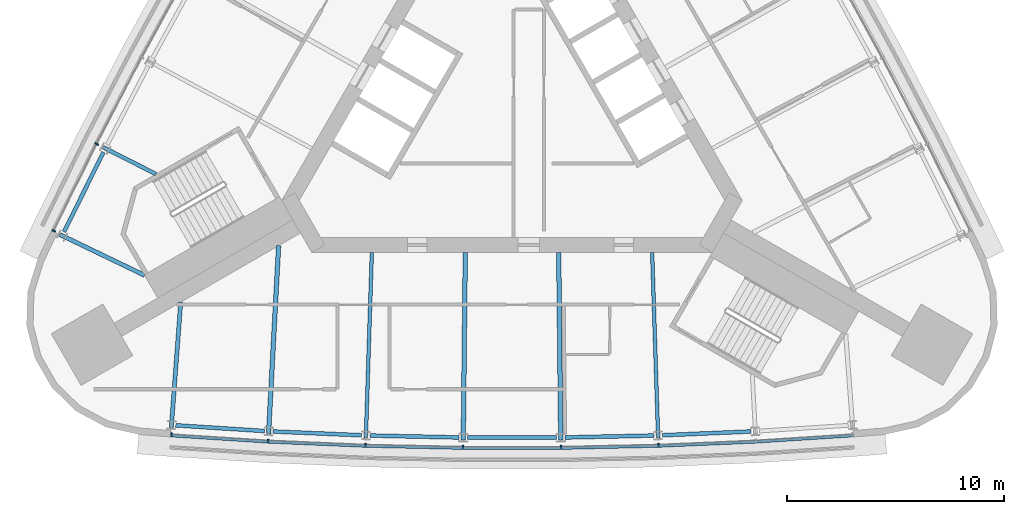
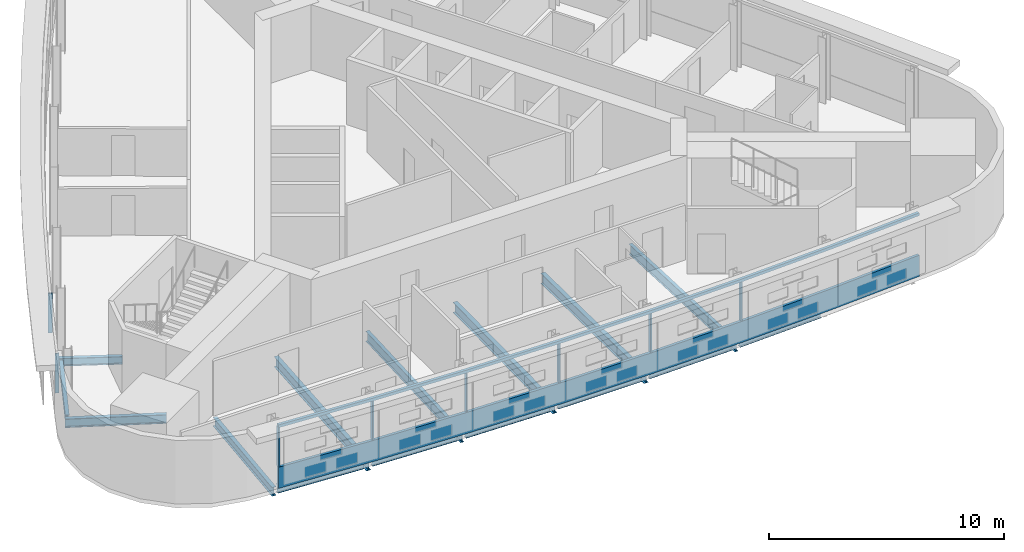
# One storey, part 2 of 12: 15 beams, 10 members, 2 elements without a shape of their own.
"""IFC4 building model written with IfcOpenShell, lengths in metres."""

from ifc_helpers import new_model, si_unit, direction, frame, origin, origin_2d, place, context, subcontext, project, spatial, polyline, rectangle, i_section, outline, extrude, material, material_profile, profile_set, type_object, element, aggregate, save


model = new_model("IFC4")

# Units and contexts
model_context = context("Model", 3, precision=1e-05, world=origin(), true_north=direction((0.0, 1.0)))
body_context = subcontext(model_context, "Body", "Model", "MODEL_VIEW")
ifc_project = project(units=[si_unit("LENGTHUNIT", "METRE"), si_unit("AREAUNIT", "SQUARE_METRE"), si_unit("VOLUMEUNIT", "CUBIC_METRE"), si_unit("PLANEANGLEUNIT", "RADIAN"), si_unit("MASSUNIT", "GRAM", prefix="KILO")], contexts=[model_context])

# Site, building, storey
site_placement = place(None, origin())
site = spatial("IfcSite", under=ifc_project, at=site_placement, CompositionType="ELEMENT")
building_placement = place(site_placement, origin())
building = spatial("IfcBuilding", under=site, at=building_placement, Name="Noor Cloister Tower", CompositionType="ELEMENT")
storey_placement = place(building_placement, frame((0.0, 0.0, 188.699951171875)))
storey = spatial("IfcBuildingStorey", under=building, at=storey_placement, Name="L48", CompositionType="ELEMENT", Elevation=188.699951171875)

# Curtain wall, member
ifc_material_1 = material(Name="Aluminium 6063-T6 anodised", Category="aluminium")
curtain_wall_type = type_object("IfcCurtainWallType", Name="Ribbon curtain wall, upper tower CW5", PredefinedType="NOTDEFINED", material=ifc_material_1)
curtain_wall_1_placement = place(storey_placement, origin())
curtain_wall_1 = element("IfcCurtainWall", 1, at=curtain_wall_1_placement, inside=storey, type_object=curtain_wall_type, Name="CW5 L48 S run 2", PredefinedType="NOTDEFINED")
ifc_material_2 = material(Name="Aluminium 6063-T6 anodised", Category="aluminium")
member_type_1 = type_object("IfcMemberType", Name="Head transom CW5 150", PredefinedType="USERDEFINED", material=ifc_material_2)
member_1_placement = place(storey_placement, frame((0.0, 0.0, 3.150146484375)))
member_1 = element("IfcMember", 2, at=member_1_placement, type_object=member_type_1, Name="CW5 head transom", ObjectType="TRANSOM", PredefinedType="USERDEFINED", context=body_context, shape_type="SweptSolid", body=[
    extrude(outline(polyline([(-15.7353515625, -15.428955078125), (-11.24462890625, -15.7177734375), (-6.748779296875, -15.910400390625), (-2.25, -16.0068359375), (2.25, -16.0068359375), (6.748779296875, -15.910400390625), (11.24462890625, -15.7177734375), (15.7353515625, -15.428955078125), (15.726318359375, -15.289306640625), (11.237060546875, -15.578125), (6.744384765625, -15.7705078125), (2.24853515625, -15.86669921875), (-2.24853515625, -15.86669921875), (-6.744384765625, -15.7705078125), (-11.237060546875, -15.578125), (-15.726318359375, -15.289306640625), (-15.7353515625, -15.428955078125)])), origin(), (0.0, 0.0, 1.0), 0.14990234375),
])

# Curtain wall, members
curtain_wall_2_placement = place(storey_placement, origin())
curtain_wall_2 = element("IfcCurtainWall", 3, at=curtain_wall_2_placement, inside=storey, type_object=curtain_wall_type, Name="CW5 L48 NW run 1", PredefinedType="NOTDEFINED")
ifc_material_3 = material(Name="Aluminium 6063-T6 anodised", Category="aluminium")
ifc_material_profile_1 = material_profile(ifc_material_3, rectangle(XDim=0.179931640625, YDim=0.070068359375, at=origin_2d()), Name="180 x 70 mullion")
ifc_profile_set_1 = profile_set([ifc_material_profile_1], Name="Aluminium 6063-T6 anodised")
member_type_2 = type_object("IfcMemberType", Name="Mullion CW5 70 x 180", PredefinedType="MULLION", material=ifc_profile_set_1)
member_2_placement = place(storey_placement, frame((-19.145263671875, -1.924560546875, 1.10009765625), z_axis=(0.0, 0.0, 1.0), x_axis=(0.891532671341, -0.452956395178, 0.0)))
member_2 = element("IfcMember", 4, at=member_2_placement, type_object=member_type_2, Name="CW5 mullion 7", PredefinedType="MULLION", context=body_context, shape_type="SweptSolid", body=[
    extrude(rectangle(XDim=0.179931640625, YDim=0.070068359375, at=origin_2d()), origin(), (0.0, 0.0, 1.0), 2.050048828125),
])
member_3_placement = place(storey_placement, frame((-21.12451171875, -5.925537109375, 1.10009765625), z_axis=(0.0, 0.0, 1.0), x_axis=(0.896329965837, -0.443387632149, 0.0)))
member_3 = element("IfcMember", 5, at=member_3_placement, type_object=member_type_2, Name="CW5 mullion 8", PredefinedType="MULLION", context=body_context, shape_type="SweptSolid", body=[
    extrude(rectangle(XDim=0.179931640625, YDim=0.070068359375, at=origin_2d()), origin(), (0.0, 0.0, 1.0), 2.050048828125),
])
aggregate(curtain_wall_2, [member_2, member_3])

# Member
member_4_placement = place(storey_placement, frame((-15.69384765625, -15.33154296875, 1.10009765625), z_axis=(0.0, 0.0, 1.0), x_axis=(0.064180029753, 0.997938336663, 0.0)))
member_4 = element("IfcMember", 6, at=member_4_placement, type_object=member_type_2, Name="CW5 mullion 1", PredefinedType="MULLION", context=body_context, shape_type="SweptSolid", body=[
    extrude(rectangle(XDim=0.179931640625, YDim=0.070068359375, at=origin_2d()), origin(), (0.0, 0.0, 1.0), 2.050048828125),
])

member_5_placement = place(storey_placement, frame((-11.2392578125, -15.617919921875, 1.10009765625), z_axis=(0.0, 0.0, 1.0), x_axis=(0.05349459064, 0.998568139274, 0.0)))
member_5 = element("IfcMember", 7, at=member_5_placement, type_object=member_type_2, Name="CW5 mullion 2", PredefinedType="MULLION", context=body_context, shape_type="SweptSolid", body=[
    extrude(rectangle(XDim=0.179931640625, YDim=0.070068359375, at=origin_2d()), origin(), (0.0, 0.0, 1.0), 2.050048828125),
])

member_6_placement = place(storey_placement, frame((-6.74560546875, -15.810546875, 1.10009765625), z_axis=(0.0, 0.0, 1.0), x_axis=(0.032106567377, 0.99948445127, 0.0)))
member_6 = element("IfcMember", 8, at=member_6_placement, type_object=member_type_2, Name="CW5 mullion 3", PredefinedType="MULLION", context=body_context, shape_type="SweptSolid", body=[
    extrude(rectangle(XDim=0.179931640625, YDim=0.070068359375, at=origin_2d()), origin(), (0.0, 0.0, 1.0), 2.050048828125),
])

member_7_placement = place(storey_placement, frame((-2.248779296875, -15.90673828125, 1.10009765625), z_axis=(0.0, 0.0, 1.0), x_axis=(0.010703830086, 0.99994271237, 0.0)))
member_7 = element("IfcMember", 9, at=member_7_placement, type_object=member_type_2, Name="CW5 mullion 4", PredefinedType="MULLION", context=body_context, shape_type="SweptSolid", body=[
    extrude(rectangle(XDim=0.179931640625, YDim=0.070068359375, at=origin_2d()), origin(), (0.0, 0.0, 1.0), 2.050048828125),
])

member_8_placement = place(storey_placement, frame((2.248779296875, -15.90673828125, 1.10009765625), z_axis=(0.0, 0.0, 1.0), x_axis=(-0.010703830086, 0.99994271237, 0.0)))
member_8 = element("IfcMember", 10, at=member_8_placement, type_object=member_type_2, Name="CW5 mullion 5", PredefinedType="MULLION", context=body_context, shape_type="SweptSolid", body=[
    extrude(rectangle(XDim=0.179931640625, YDim=0.070068359375, at=origin_2d()), origin(), (0.0, 0.0, 1.0), 2.050048828125),
])

member_9_placement = place(storey_placement, frame((6.74560546875, -15.810546875, 1.10009765625), z_axis=(0.0, 0.0, 1.0), x_axis=(-0.032106567377, 0.99948445127, 0.0)))
member_9 = element("IfcMember", 11, at=member_9_placement, type_object=member_type_2, Name="CW5 mullion 6", PredefinedType="MULLION", context=body_context, shape_type="SweptSolid", body=[
    extrude(rectangle(XDim=0.179931640625, YDim=0.070068359375, at=origin_2d()), origin(), (0.0, 0.0, 1.0), 2.050048828125),
])

# Beams
ifc_material_4 = material(Name="Steel ASTM A992 Gr 50", Category="steel")
ifc_material_profile_2 = material_profile(ifc_material_4, i_section(OverallWidth=0.177978515625, OverallDepth=0.406005859375, WebThickness=0.0078125, FlangeThickness=0.0126953125, FilletRadius=0.01025390625, at=origin_2d()), Name="W410x60")
ifc_profile_set_2 = profile_set([ifc_material_profile_2], Name="Steel ASTM A992 Gr 50")
beam_type_1 = type_object("IfcBeamType", Name="Radial beam W410x60", PredefinedType="BEAM", material=ifc_profile_set_2)
beam_1_placement = place(storey_placement, frame((-18.843994140625, -2.07763671875, -0.40283203125), z_axis=(0.891546185456, -0.452929795, 0.0), x_axis=(0.452929795, 0.891546185456, 0.0)))
element("IfcBeam", 12, at=beam_1_placement, inside=storey, type_object=beam_type_1, Name="Radial beam NW 07 L48", PredefinedType="BEAM", context=body_context, shape_type="SweptSolid", body=[
    extrude(i_section(OverallWidth=0.177978515625, OverallDepth=0.406005859375, WebThickness=0.0078125, FlangeThickness=0.0126953125, FilletRadius=0.01025390625, at=origin_2d()), origin(), (0.0, 0.0, 1.0), 2.72900390625),
])
ifc_material_5 = material(Name="Steel ASTM A992 Gr 50", Category="steel")
ifc_material_profile_3 = material_profile(ifc_material_5, i_section(OverallWidth=0.19091796875, OverallDepth=0.45703125, WebThickness=0.009033203125, FlangeThickness=0.014404296875, FilletRadius=0.01025390625, at=origin_2d()), Name="W460x74")
ifc_profile_set_3 = profile_set([ifc_material_profile_3], Name="Steel ASTM A992 Gr 50")
beam_type_2 = type_object("IfcBeamType", Name="Radial beam W460x74", PredefinedType="BEAM", material=ifc_profile_set_3)
beam_2_placement = place(storey_placement, frame((-20.8349609375, -6.1025390625, -0.428466796875), z_axis=(0.901017184734, -0.43378339389, 0.0), x_axis=(0.43378339389, 0.901017184734, 0.0)))
element("IfcBeam", 13, at=beam_2_placement, inside=storey, type_object=beam_type_2, Name="Radial beam NW 08 L48", PredefinedType="BEAM", context=body_context, shape_type="SweptSolid", body=[
    extrude(i_section(OverallWidth=0.19091796875, OverallDepth=0.45703125, WebThickness=0.009033203125, FlangeThickness=0.014404296875, FilletRadius=0.01025390625, at=origin_2d()), origin(), (0.0, 0.0, 1.0), 4.328125),
])
beam_3_placement = place(storey_placement, frame((-15.702392578125, -14.9921875, -0.428466796875), z_axis=(0.074861245098, 0.997193960061, 0.0), x_axis=(-0.997193960061, 0.074861245098, 0.0)))
element("IfcBeam", 14, at=beam_3_placement, inside=storey, type_object=beam_type_2, Name="Radial beam S 01 L48", PredefinedType="BEAM", context=body_context, shape_type="SweptSolid", body=[
    extrude(i_section(OverallWidth=0.19091796875, OverallDepth=0.45703125, WebThickness=0.009033203125, FlangeThickness=0.014404296875, FilletRadius=0.01025390625, at=origin_2d()), origin(), (0.0, 0.0, 1.0), 5.788818359375),
])
ifc_material_6 = material(Name="Steel ASTM A992 Gr 50", Category="steel")
ifc_material_profile_4 = material_profile(ifc_material_6, i_section(OverallWidth=0.166015625, OverallDepth=0.528076171875, WebThickness=0.009765625, FlangeThickness=0.013671875, FilletRadius=0.0126953125, at=origin_2d()), Name="W530x74")
ifc_profile_set_4 = profile_set([ifc_material_profile_4], Name="Steel ASTM A992 Gr 50")
beam_type_3 = type_object("IfcBeamType", Name="Radial beam W530x74", PredefinedType="BEAM", material=ifc_profile_set_4)
for number, where, z_axis, x_axis, name in (
    (15, (-6.73486328125, -15.47265625, -0.4638671875), (0.032128099585, 0.999483759356, 0.0), (-0.999483759356, 0.032128099585, 0.0), "Radial beam S 03 L48"),
    (16, (6.73486328125, -15.47265625, -0.4638671875), (-0.032128099585, 0.999483759356, 0.0), (-0.999483759356, -0.032128099585, 0.0), "Radial beam S 06 L48"),
):
    element("IfcBeam", number, at=place(storey_placement, frame(where, z_axis=z_axis, x_axis=x_axis)), inside=storey, type_object=beam_type_3, Name=name, PredefinedType="BEAM", context=body_context, shape_type="SweptSolid", body=[
        extrude(i_section(OverallWidth=0.166015625, OverallDepth=0.528076171875, WebThickness=0.009765625, FlangeThickness=0.013671875, FilletRadius=0.0126953125, at=origin_2d()), origin(), (0.0, 0.0, 1.0), 8.548828125),
    ])
ifc_material_7 = material(Name="Steel ASTM A992 Gr 50", Category="steel")
ifc_material_profile_5 = material_profile(ifc_material_7, i_section(OverallWidth=0.208984375, OverallDepth=0.532958984375, WebThickness=0.01025390625, FlangeThickness=0.015625, FilletRadius=0.0126953125, at=origin_2d()), Name="W530x92")
ifc_profile_set_5 = profile_set([ifc_material_profile_5], Name="Steel ASTM A992 Gr 50")
beam_type_4 = type_object("IfcBeamType", Name="Radial beam W530x92", PredefinedType="BEAM", material=ifc_profile_set_5)
beam_4_placement = place(storey_placement, frame((-11.22119140625, -15.280517578125, -0.466552734375), z_axis=(0.053480194356, 0.998568910397, 0.0), x_axis=(-0.998568910397, 0.053480194356, 0.0)))
element("IfcBeam", 17, at=beam_4_placement, inside=storey, type_object=beam_type_4, Name="Radial beam S 02 L48", PredefinedType="BEAM", context=body_context, shape_type="SweptSolid", body=[
    extrude(i_section(OverallWidth=0.208984375, OverallDepth=0.532958984375, WebThickness=0.01025390625, FlangeThickness=0.015625, FilletRadius=0.0126953125, at=origin_2d()), origin(), (0.0, 0.0, 1.0), 8.67822265625),
])
for number, where, z_axis, x_axis, name in (
    (18, (-2.245361328125, -15.56884765625, -0.466552734375), (0.010708020767, 0.999942667502, 0.0), (-0.999942667502, 0.010708020767, 0.0), "Radial beam S 04 L48"),
    (19, (2.245361328125, -15.56884765625, -0.466552734375), (-0.010708020767, 0.999942667502, 0.0), (-0.999942667502, -0.010708020767, 0.0), "Radial beam S 05 L48"),
):
    element("IfcBeam", number, at=place(storey_placement, frame(where, z_axis=z_axis, x_axis=x_axis)), inside=storey, type_object=beam_type_4, Name=name, PredefinedType="BEAM", context=body_context, shape_type="SweptSolid", body=[
        extrude(i_section(OverallWidth=0.208984375, OverallDepth=0.532958984375, WebThickness=0.01025390625, FlangeThickness=0.015625, FilletRadius=0.0126953125, at=origin_2d()), origin(), (0.0, 0.0, 1.0), 8.64111328125),
    ])

# Member
ifc_material_8 = material(Name="Aluminium 6063-T6 anodised", Category="aluminium")
member_type_3 = type_object("IfcMemberType", Name="Sill transom CW5 1100", PredefinedType="USERDEFINED", material=ifc_material_8)
member_10_placement = place(storey_placement, origin())
member_10 = element("IfcMember", 20, at=member_10_placement, type_object=member_type_3, Name="CW5 sill transom", ObjectType="TRANSOM", PredefinedType="USERDEFINED", context=body_context, shape_type="SweptSolid", body=[
    extrude(outline(polyline([(-15.7353515625, -15.428955078125), (-11.24462890625, -15.7177734375), (-6.748779296875, -15.910400390625), (-2.25, -16.0068359375), (2.25, -16.0068359375), (6.748779296875, -15.910400390625), (11.24462890625, -15.7177734375), (15.7353515625, -15.428955078125), (15.726318359375, -15.289306640625), (11.237060546875, -15.578125), (6.744384765625, -15.7705078125), (2.24853515625, -15.86669921875), (-2.24853515625, -15.86669921875), (-6.744384765625, -15.7705078125), (-11.237060546875, -15.578125), (-15.726318359375, -15.289306640625), (-15.7353515625, -15.428955078125)])), origin(), (0.0, 0.0, 1.0), 1.10009765625),
])

aggregate(curtain_wall_1, [member_4, member_5, member_6, member_7, member_8, member_9, member_10, member_1])

# Beams
ifc_material_9 = material(Name="Steel ASTM A992 Gr 50", Category="steel")
ifc_material_profile_6 = material_profile(ifc_material_9, i_section(OverallWidth=0.177978515625, OverallDepth=0.406005859375, WebThickness=0.0078125, FlangeThickness=0.0126953125, FilletRadius=0.01025390625, at=origin_2d()), Name="W410x60")
ifc_profile_set_6 = profile_set([ifc_material_profile_6], Name="Steel ASTM A992 Gr 50")
beam_type_5 = type_object("IfcBeamType", Name="Spandrel beam W410x60", PredefinedType="SPANDREL", material=ifc_profile_set_6)
for number, where, z_axis, x_axis, name in (
    (21, (-18.831298828125, -2.304931640625, -0.40283203125), (-0.443417035745, -0.896315420157, 0.0), (0.896315420157, -0.443417035745, 0.0), "Spandrel beam NW 07 L48"),
    (22, (-15.49755859375, -14.893310546875, -0.40283203125), (0.997939374262, -0.064163894037, 0.0), (0.064163894037, 0.997939374262, 0.0), "Spandrel beam S 01 L48"),
):
    element("IfcBeam", number, at=place(storey_placement, frame(where, z_axis=z_axis, x_axis=x_axis)), inside=storey, type_object=beam_type_5, Name=name, PredefinedType="SPANDREL", context=body_context, shape_type="SweptSolid", body=[
        extrude(i_section(OverallWidth=0.177978515625, OverallDepth=0.406005859375, WebThickness=0.0078125, FlangeThickness=0.0126953125, FilletRadius=0.01025390625, at=origin_2d()), origin(), (0.0, 0.0, 1.0), 4.09423828125),
    ])
beam_5_placement = place(storey_placement, frame((-11.018310546875, -15.177001953125, -0.40283203125), z_axis=(0.999082968702, -0.04281613773, 0.0), x_axis=(0.04281613773, 0.999082968702, 0.0)))
element("IfcBeam", 23, at=beam_5_placement, inside=storey, type_object=beam_type_5, Name="Spandrel beam S 02 L48", PredefinedType="SPANDREL", context=body_context, shape_type="SweptSolid", body=[
    extrude(i_section(OverallWidth=0.177978515625, OverallDepth=0.406005859375, WebThickness=0.0078125, FlangeThickness=0.0126953125, FilletRadius=0.01025390625, at=origin_2d()), origin(), (0.0, 0.0, 1.0), 4.093994140625),
])
for number, where, z_axis, x_axis, name in (
    (24, (-6.5341796875, -15.364990234375, -0.40283203125), (0.999770833744, -0.021407475207, 0.0), (0.021407475207, 0.999770833744, 0.0), "Spandrel beam S 03 L48"),
    (25, (-2.047119140625, -15.456787109375, -0.40283203125), (1.0, 0.0, 0.0), (0.0, 1.0, 0.0), "Spandrel beam S 04 L48"),
    (26, (2.44091796875, -15.45263671875, -0.40283203125), (0.999770833744, 0.021407475207, 0.0), (-0.021407475207, 0.999770833744, 0.0), "Spandrel beam S 05 L48"),
):
    element("IfcBeam", number, at=place(storey_placement, frame(where, z_axis=z_axis, x_axis=x_axis)), inside=storey, type_object=beam_type_5, Name=name, PredefinedType="SPANDREL", context=body_context, shape_type="SweptSolid", body=[
        extrude(i_section(OverallWidth=0.177978515625, OverallDepth=0.406005859375, WebThickness=0.0078125, FlangeThickness=0.0126953125, FilletRadius=0.01025390625, at=origin_2d()), origin(), (0.0, 0.0, 1.0), 4.09423828125),
    ])
beam_6_placement = place(storey_placement, frame((6.927978515625, -15.352294921875, -0.40283203125), z_axis=(0.999082968702, 0.04281613773, 0.0), x_axis=(-0.04281613773, 0.999082968702, 0.0)))
element("IfcBeam", 27, at=beam_6_placement, inside=storey, type_object=beam_type_5, Name="Spandrel beam S 06 L48", PredefinedType="SPANDREL", context=body_context, shape_type="SweptSolid", body=[
    extrude(i_section(OverallWidth=0.177978515625, OverallDepth=0.406005859375, WebThickness=0.0078125, FlangeThickness=0.0126953125, FilletRadius=0.01025390625, at=origin_2d()), origin(), (0.0, 0.0, 1.0), 4.093994140625),
])

save(model, "model.ifc")
